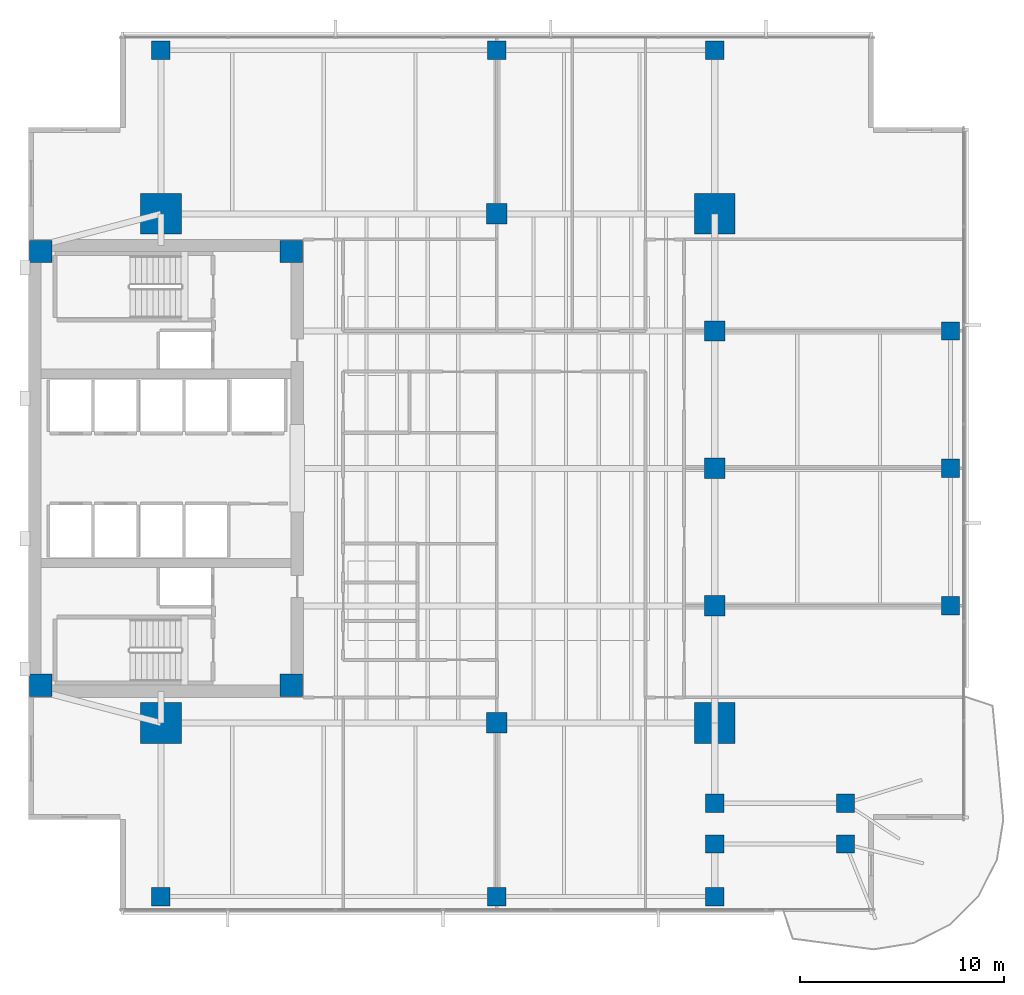
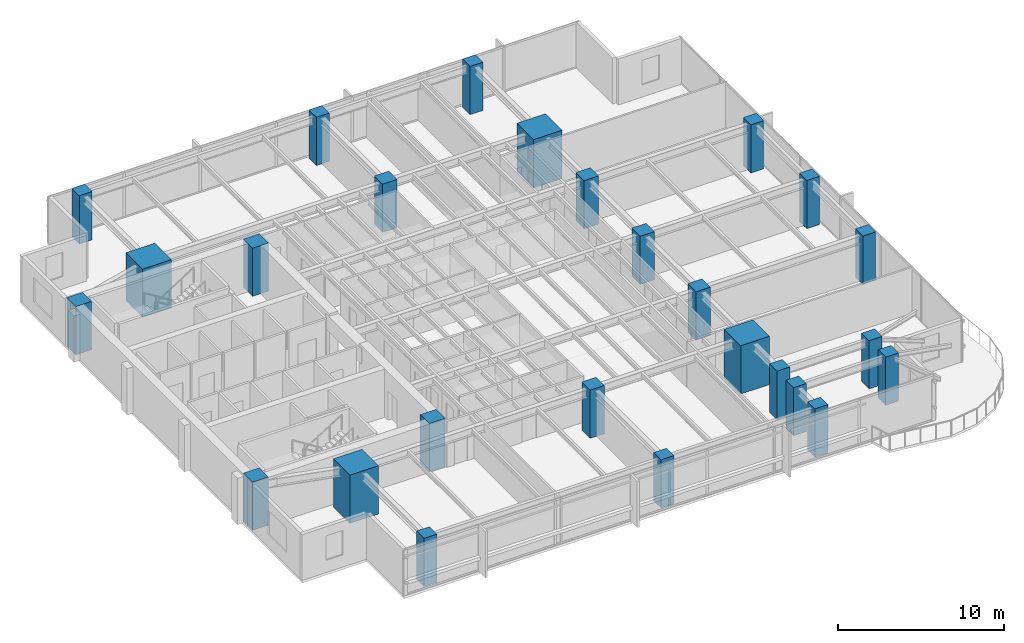
# One storey, part 1 of 14: 26 columns.
"""IFC4 building model written with IfcOpenShell, lengths in metres."""

from ifc_helpers import new_model, si_unit, direction, frame, origin, origin_2d, place, context, subcontext, project, spatial, rectangle, extrude, material, material_profile, profile_set, type_object, element, save


model = new_model("IFC4")

# Units and contexts
model_context = context("Model", 3, precision=1e-05, world=origin(), true_north=direction((0.0, 1.0)))
body_context = subcontext(model_context, "Body", "Model", "MODEL_VIEW")
ifc_project = project(units=[si_unit("LENGTHUNIT", "METRE"), si_unit("AREAUNIT", "SQUARE_METRE"), si_unit("VOLUMEUNIT", "CUBIC_METRE"), si_unit("PLANEANGLEUNIT", "RADIAN"), si_unit("MASSUNIT", "GRAM", prefix="KILO")], contexts=[model_context])

# Site, building, storey
site_placement = place(None, origin())
site = spatial("IfcSite", under=ifc_project, at=site_placement, CompositionType="ELEMENT")
building_placement = place(site_placement, origin())
building = spatial("IfcBuilding", under=site, at=building_placement, Name="Kinhvarn Gate Tower", CompositionType="ELEMENT")
storey_placement = place(building_placement, frame((0.0, 0.0, 148.39990234375)))
storey = spatial("IfcBuildingStorey", under=building, at=storey_placement, Name="L39", CompositionType="ELEMENT", Elevation=148.39990234375)

# Columns
ifc_material = material(Name="Concrete C60/75", Category="concrete")
ifc_material_profile_1 = material_profile(ifc_material, rectangle(XDim=2.0, YDim=2.0, at=origin_2d()), Name="RC 2000x2000")
ifc_profile_set_1 = profile_set([ifc_material_profile_1], Name="Concrete C60/75")
column_type_1 = type_object("IfcColumnType", Name="COL-MC-2000", PredefinedType="COLUMN", material=ifc_profile_set_1)
for number, where, z_axis, x_axis, name in (
    (1, (11.0, 12.75, 0.0), (0.0, 0.0, 1.0), (1.0, 0.0, 0.0), "Column MC1-L39 (MC-20)"),
    (2, (11.0, 37.75, 0.0), (0.0, 0.0, 1.0), (1.0, 0.0, 0.0), "Column MC4-L39 (MC-20)"),
    (3, (38.199951171875, 12.75, 0.0), (0.0, 0.0, 1.0), (1.0, 0.0, 0.0), "Column MC2-L39 (MC-20)"),
    (4, (38.199951171875, 37.75, 0.0), (0.0, 0.0, 1.0), (1.0, 0.0, 0.0), "Column MC3-L39 (MC-20)"),
):
    element("IfcColumn", number, at=place(storey_placement, frame(where, z_axis=z_axis, x_axis=x_axis)), inside=storey, type_object=column_type_1, Name=name, PredefinedType="COLUMN", context=body_context, shape_type="SweptSolid", body=[
        extrude(rectangle(XDim=2.0, YDim=2.0, at=origin_2d()), origin(), (0.0, 0.0, 1.0), 3.550048828125),
    ])
ifc_material_profile_2 = material_profile(ifc_material, rectangle(XDim=1.0, YDim=1.0, at=origin_2d()), Name="RC 1000x1000")
ifc_profile_set_2 = profile_set([ifc_material_profile_2], Name="Concrete C60/75")
column_type_2 = type_object("IfcColumnType", Name="COL-RC-1000", PredefinedType="COLUMN", material=ifc_profile_set_2)
for number, where, z_axis, x_axis, name in (
    (5, (27.5, 12.75, 0.0), (0.0, 0.0, 1.0), (1.0, 0.0, 0.0), "Column SP27-S-L39 (C-100)"),
    (6, (27.5, 37.75, 0.0), (0.0, 0.0, 1.0), (1.0, 0.0, 0.0), "Column SP27-N-L39 (C-100)"),
    (7, (38.199951171875, 18.5, 0.0), (0.0, 0.0, 1.0), (1.0, 0.0, 0.0), "Column SP38-E1-L39 (C-100)"),
    (8, (38.199951171875, 25.25, 0.0), (0.0, 0.0, 1.0), (1.0, 0.0, 0.0), "Column SP38-E2-L39 (C-100)"),
    (9, (38.199951171875, 32.0, 0.0), (0.0, 0.0, 1.0), (1.0, 0.0, 0.0), "Column SP38-E3-L39 (C-100)"),
):
    element("IfcColumn", number, at=place(storey_placement, frame(where, z_axis=z_axis, x_axis=x_axis)), inside=storey, type_object=column_type_2, Name=name, PredefinedType="COLUMN", context=body_context, shape_type="SweptSolid", body=[
        extrude(rectangle(XDim=1.0, YDim=1.0, at=origin_2d()), origin(), (0.0, 0.0, 1.0), 3.550048828125),
    ])
ifc_material_profile_3 = material_profile(ifc_material, rectangle(XDim=0.89990234375, YDim=0.89990234375, at=origin_2d()), Name="RC 900x900")
ifc_profile_set_3 = profile_set([ifc_material_profile_3], Name="Concrete C60/75")
column_type_3 = type_object("IfcColumnType", Name="COL-RC-900", PredefinedType="COLUMN", material=ifc_profile_set_3)
for number, where, z_axis, x_axis, name in (
    (10, (38.199951171875, 6.800048828125, 0.0), (0.0, 0.0, 1.0), (1.0, 0.0, 0.0), "Column CS-ANC68-L39 (C-090)"),
    (11, (38.199951171875, 8.800048828125, 0.0), (0.0, 0.0, 1.0), (1.0, 0.0, 0.0), "Column CS-ANC88-L39 (C-090)"),
    (12, (44.6201171875, 6.800048828125, 0.0), (0.0, 0.0, 1.0), (1.0, 0.0, 0.0), "Column CS-SE2-L39 (C-090)"),
    (13, (44.6201171875, 8.800048828125, 0.0), (0.0, 0.0, 1.0), (1.0, 0.0, 0.0), "Column CS-SE2B-L39 (C-090)"),
    (14, (49.780029296875, 18.5, 0.0), (0.0, 0.0, 1.0), (1.0, 0.0, 0.0), "Column CE-1-L39 (C-090)"),
    (15, (49.780029296875, 25.25, 0.0), (0.0, 0.0, 1.0), (1.0, 0.0, 0.0), "Column CE-2-L39 (C-090)"),
    (16, (49.780029296875, 32.0, 0.0), (0.0, 0.0, 1.0), (1.0, 0.0, 0.0), "Column CE-3-L39 (C-090)"),
    (17, (11.0, 4.219970703125, 0.0), (0.0, 0.0, 1.0), (1.0, 0.0, 0.0), "Column CS-0-L39 (C-090)"),
    (18, (27.5, 4.219970703125, 0.0), (0.0, 0.0, 1.0), (1.0, 0.0, 0.0), "Column CS-1-L39 (C-090)"),
    (19, (38.199951171875, 4.219970703125, 0.0), (0.0, 0.0, 1.0), (1.0, 0.0, 0.0), "Column CS-2-L39 (C-090)"),
    (20, (11.0, 45.780029296875, 0.0), (0.0, 0.0, 1.0), (1.0, 0.0, 0.0), "Column CN-0-L39 (C-090)"),
    (21, (27.5, 45.780029296875, 0.0), (0.0, 0.0, 1.0), (1.0, 0.0, 0.0), "Column CN-1-L39 (C-090)"),
    (22, (38.199951171875, 45.780029296875, 0.0), (0.0, 0.0, 1.0), (1.0, 0.0, 0.0), "Column CN-2-L39 (C-090)"),
):
    element("IfcColumn", number, at=place(storey_placement, frame(where, z_axis=z_axis, x_axis=x_axis)), inside=storey, type_object=column_type_3, Name=name, PredefinedType="COLUMN", context=body_context, shape_type="SweptSolid", body=[
        extrude(rectangle(XDim=0.89990234375, YDim=0.89990234375, at=origin_2d()), origin(), (0.0, 0.0, 1.0), 3.550048828125),
    ])
ifc_material_profile_4 = material_profile(ifc_material, rectangle(XDim=1.10009765625, YDim=1.10009765625, at=origin_2d()), Name="RC 1100x1100")
ifc_profile_set_4 = profile_set([ifc_material_profile_4], Name="Concrete C60/75")
column_type_4 = type_object("IfcColumnType", Name="PIL-RC-1100", PredefinedType="PILASTER", material=ifc_profile_set_4)
for number, where, z_axis, x_axis, name in (
    (23, (5.10009765625, 14.60009765625, 0.0), (0.0, 0.0, 1.0), (1.0, 0.0, 0.0), "Column CC-SW-L39 (CP-110)"),
    (24, (5.10009765625, 35.89990234375, 0.0), (0.0, 0.0, 1.0), (1.0, 0.0, 0.0), "Column CC-NW-L39 (CP-110)"),
    (25, (17.39990234375, 14.60009765625, 0.0), (0.0, 0.0, 1.0), (1.0, 0.0, 0.0), "Column CC-SE-L39 (CP-110)"),
    (26, (17.39990234375, 35.89990234375, 0.0), (0.0, 0.0, 1.0), (1.0, 0.0, 0.0), "Column CC-NE-L39 (CP-110)"),
):
    element("IfcColumn", number, at=place(storey_placement, frame(where, z_axis=z_axis, x_axis=x_axis)), inside=storey, type_object=column_type_4, Name=name, PredefinedType="PILASTER", context=body_context, shape_type="SweptSolid", body=[
        extrude(rectangle(XDim=1.10009765625, YDim=1.10009765625, at=origin_2d()), origin(), (0.0, 0.0, 1.0), 3.550048828125),
    ])

save(model, "model.ifc")
